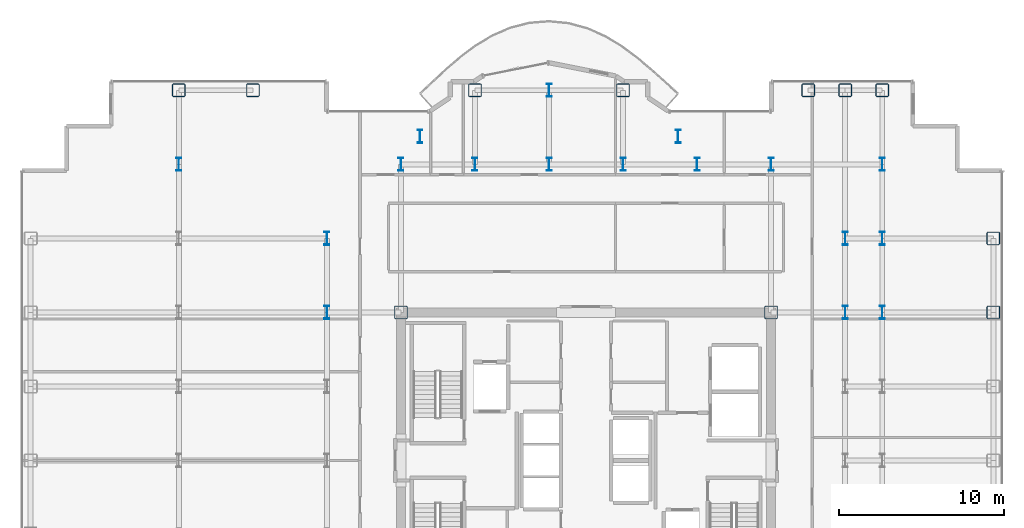
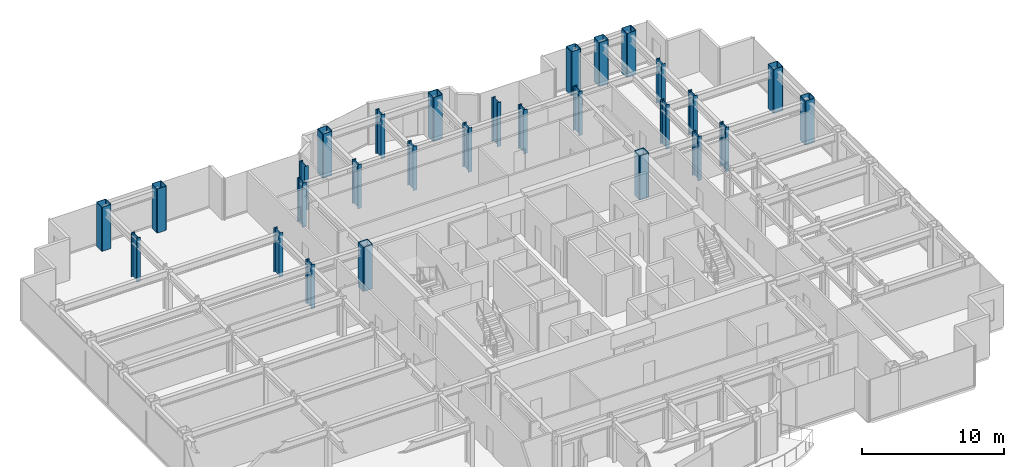
# One storey, part 2 of 22: 28 columns.
"""IFC4 building model written with IfcOpenShell, lengths in metres."""

import ifcopenshell
import ifcopenshell.guid

model = None  # the IFC model being written
_history = None  # IfcOwnerHistory: only IFC2X3 demands one
_inside = {}  # id of a spatial element -> (the spatial element, [elements in it])
_under = {}  # id of a project, library or spatial element -> (it, [spatial elements below it])
_declared = {}  # id of a project -> (the project, [libraries it declares])
_typed = {}  # id of a type object -> (the type object, [elements of that type])
_made_of = {}  # id of a material, layer set ... -> (it, [elements and type objects made of it])


def new_model(schema):
    """Start an empty IFC model of exactly this schema.

    Asked for "IFC4X3", IfcOpenShell would pick the latest addendum, in which some entities
    have other attributes; the version numbers below select the first issue.
    IFC2X3 requires an IfcOwnerHistory on every rooted entity: one is made here for all.
    """
    global model, _history
    if schema == "IFC4X3":
        model = ifcopenshell.file(schema_version=(4, 3, 0, 0))
    else:
        model = ifcopenshell.file(schema=schema)
    _inside.clear()
    _under.clear()
    _declared.clear()
    _typed.clear()
    _made_of.clear()
    _history = None
    if model.schema == "IFC2X3":
        org = make("IfcOrganization", Name="unknown")
        user = make(
            "IfcPersonAndOrganization",
            ThePerson=make("IfcPerson", FamilyName="unknown"),
            TheOrganization=org,
        )
        app = make(
            "IfcApplication",
            ApplicationDeveloper=org,
            Version="unknown",
            ApplicationFullName="unknown",
            ApplicationIdentifier="unknown",
        )
        _history = make(
            "IfcOwnerHistory",
            OwningUser=user,
            OwningApplication=app,
            ChangeAction="ADDED",
            CreationDate=0,
        )
    return model


def make(cls, **values):
    """One entity of the class cls with the attributes given. An attribute that is None is left unset."""
    return model.create_entity(
        cls, **{name: value for name, value in values.items() if value is not None}
    )


def rooted(cls, **values):
    """An entity with a GlobalId (a new one), such as an element, a storey or a relation."""
    return make(cls, GlobalId=ifcopenshell.guid.new(), OwnerHistory=_history, **values)


def si_unit(unit_type, name, prefix=None):
    """IfcSIUnit, for example si_unit("LENGTHUNIT", "METRE", prefix="MILLI")."""
    return make("IfcSIUnit", UnitType=unit_type, Prefix=prefix, Name=name)


def assignment(units):
    """IfcUnitAssignment: the units of a project."""
    return None if units is None else make("IfcUnitAssignment", Units=units)


def point(xyz):
    """IfcCartesianPoint."""
    return None if xyz is None else make("IfcCartesianPoint", Coordinates=xyz)


def direction(xyz):
    """IfcDirection."""
    return None if xyz is None else make("IfcDirection", DirectionRatios=xyz)


def frame(location, z_axis=None, x_axis=None):
    """IfcAxis2Placement3D, a coordinate frame: its origin and axes. An axis left out is left unset."""
    return make(
        "IfcAxis2Placement3D",
        Location=point(location),
        Axis=direction(z_axis),
        RefDirection=direction(x_axis),
    )


def frame_2d(location, x_axis=None):
    """IfcAxis2Placement2D, a coordinate frame in the plane: its origin and x axis."""
    return make(
        "IfcAxis2Placement2D", Location=point(location), RefDirection=direction(x_axis)
    )


def origin():
    """The frame at (0, 0, 0) with its axes left unset."""
    return frame((0.0, 0.0, 0.0))


def origin_2d():
    """The frame at (0, 0) in the plane with its x axis left unset."""
    return frame_2d((0.0, 0.0))


def place(relative_to, where):
    """IfcLocalPlacement: puts the frame where relative to a parent placement (None: the world)."""
    return make(
        "IfcLocalPlacement", PlacementRelTo=relative_to, RelativePlacement=where
    )


def context(
    kind, dimensions, precision=None, world=None, true_north=None, identifier=None
):
    """IfcGeometricRepresentationContext, for example the 3D "Model" context."""
    return make(
        "IfcGeometricRepresentationContext",
        ContextIdentifier=identifier,
        ContextType=kind,
        CoordinateSpaceDimension=dimensions,
        Precision=precision,
        WorldCoordinateSystem=world,
        TrueNorth=true_north,
    )


def subcontext(parent, identifier, kind, view, scale=None):
    """IfcGeometricRepresentationSubContext, for example "Body" below "Model"."""
    return make(
        "IfcGeometricRepresentationSubContext",
        ContextIdentifier=identifier,
        ContextType=kind,
        ParentContext=parent,
        TargetScale=scale,
        TargetView=view,
    )


def project(units=None, contexts=None):
    """IfcProject with its units and contexts."""
    return rooted(
        "IfcProject",
        Name="project",
        RepresentationContexts=contexts,
        UnitsInContext=assignment(units),
    )


def spatial(cls, under=None, at=None, **own):
    """A site, building, storey or space (cls), placed at a placement, below another one or the project."""
    s = rooted(cls, ObjectPlacement=at, **own)
    if under is not None:
        _under.setdefault(under.id(), (under, []))[1].append(s)
    return s


def profile(cls, at=None, kind="AREA", **sizes):
    """A parametric profile (cls). Its sizes go by their IFC names, for example OverallWidth=200.0."""
    return make(cls, ProfileType=kind, Position=at, **sizes)


def hollow_rectangle(**sizes):
    """IfcRectangleHollowProfileDef."""
    return profile("IfcRectangleHollowProfileDef", **sizes)


def i_section(**sizes):
    """IfcIShapeProfileDef."""
    return profile("IfcIShapeProfileDef", **sizes)


def extrude(swept, where, along, depth):
    """IfcExtrudedAreaSolid: the profile swept, set in the frame where, extruded along a direction by depth."""
    return make(
        "IfcExtrudedAreaSolid",
        SweptArea=swept,
        Position=where,
        ExtrudedDirection=direction(along),
        Depth=depth,
    )


def shape(context_of_items, identifier, shape_type, items):
    """IfcShapeRepresentation: the items that make up one representation, for example the "Body"."""
    return make(
        "IfcShapeRepresentation",
        ContextOfItems=context_of_items,
        RepresentationIdentifier=identifier,
        RepresentationType=shape_type,
        Items=items,
    )


def source(mapping_origin, context_of_items, identifier, shape_type, items):
    """IfcRepresentationMap: a shape defined once, which mapped items show again and again."""
    return make(
        "IfcRepresentationMap",
        MappingOrigin=mapping_origin,
        MappedRepresentation=shape(context_of_items, identifier, shape_type, items),
    )


def transform(
    local_origin,
    x_axis=None,
    y_axis=None,
    z_axis=None,
    scale=None,
    scale2=None,
    scale3=None,
    uniform=True,
):
    """IfcCartesianTransformationOperator3D, or its non-uniform kind. x_axis, y_axis, z_axis: its Axis1, 2, 3."""
    if uniform:
        return make(
            "IfcCartesianTransformationOperator3D",
            Axis1=direction(x_axis),
            Axis2=direction(y_axis),
            LocalOrigin=point(local_origin),
            Scale=scale,
            Axis3=direction(z_axis),
        )
    return make(
        "IfcCartesianTransformationOperator3DnonUniform",
        Axis1=direction(x_axis),
        Axis2=direction(y_axis),
        LocalOrigin=point(local_origin),
        Scale=scale,
        Axis3=direction(z_axis),
        Scale2=scale2,
        Scale3=scale3,
    )


def mapped(mapping_source, mapping_target):
    """IfcMappedItem: shows the shape of a source again, moved by a transform."""
    return make(
        "IfcMappedItem", MappingSource=mapping_source, MappingTarget=mapping_target
    )


def material(Name=None, Category=None):
    """IfcMaterial."""
    return make("IfcMaterial", Name=Name, Category=Category)


def material_profile(
    of_material, cross_section, Name=None, Category=None, Priority=None
):
    """IfcMaterialProfile: a cross section and its material."""
    return make(
        "IfcMaterialProfile",
        Name=Name,
        Material=of_material,
        Profile=cross_section,
        Priority=Priority,
        Category=Category,
    )


def profile_set(profiles, Name=None, composite=None):
    """IfcMaterialProfileSet."""
    return make(
        "IfcMaterialProfileSet",
        Name=Name,
        MaterialProfiles=profiles,
        CompositeProfile=composite,
    )


def made_of(thing, what):
    """Note that an element or type object is made of a material, layer set ...; save() writes the relation."""
    if what is not None:
        _made_of.setdefault(what.id(), (what, []))[1].append(thing)
    return thing


def type_object(cls, material=None, **own):
    """A type object (cls), such as IfcWallType, which elements share."""
    return made_of(rooted(cls, **own), material)


def element(
    cls,
    number,
    at=None,
    inside=None,
    cuts=None,
    type_object=None,
    material=None,
    context=None,
    identifier="Body",
    shape_type=None,
    held_by="IfcProductDefinitionShape",
    body=None,
    shapes=None,
    **own,
):
    """One element of the class cls, such as IfcWall. Its Tag is "e" and its number.

    at: its placement. inside: the storey or other place that contains it. cuts: it is an
    opening in that element (IfcRelVoidsElement). A single representation is given by context,
    identifier, shape_type and body (its items); several are given by shapes. held_by: the class
    of the entity that holds the representations. save() writes the other relations.
    """
    e = rooted(cls, Tag="e%d" % number, ObjectPlacement=at, **own)
    if body is not None:
        shapes = [shape(context, identifier, shape_type, body)]
    if shapes is not None:
        e.Representation = make(held_by, Representations=shapes)
    if inside is not None:
        _inside.setdefault(inside.id(), (inside, []))[1].append(e)
    if cuts is not None:
        rooted(
            "IfcRelVoidsElement", RelatingBuildingElement=cuts, RelatedOpeningElement=e
        )
    if type_object is not None:
        _typed.setdefault(type_object.id(), (type_object, []))[1].append(e)
    return made_of(e, material)


def aggregate(whole, parts):
    """IfcRelAggregates: a whole, such as a stair, and the parts it consists of."""
    return rooted("IfcRelAggregates", RelatingObject=whole, RelatedObjects=parts)


def save(model, path):
    """Write the relations noted so far, then the file.

    IfcRelAggregates (storeys below a building ...), IfcRelContainedInSpatialStructure (elements
    in a storey), IfcRelDefinesByType, IfcRelAssociatesMaterial and IfcRelDeclares: one each for
    every whole, place, type object, material and project.
    """
    for whole, parts in _under.values():
        aggregate(whole, parts)
    for where, things in _inside.values():
        rooted(
            "IfcRelContainedInSpatialStructure",
            RelatedElements=things,
            RelatingStructure=where,
        )
    for kind, things in _typed.values():
        rooted("IfcRelDefinesByType", RelatedObjects=things, RelatingType=kind)
    for what, things in _made_of.values():
        rooted("IfcRelAssociatesMaterial", RelatedObjects=things, RelatingMaterial=what)
    for by, libraries in _declared.values():
        rooted("IfcRelDeclares", RelatingContext=by, RelatedDefinitions=libraries)
    model.write(path)


model = new_model("IFC4")

# Units and contexts
model_context = context("Model", 3, precision=1e-05, world=origin(), true_north=direction((0.0, 1.0)))
body_context = subcontext(model_context, "Body", "Model", "MODEL_VIEW")
ifc_project = project(units=[si_unit("LENGTHUNIT", "METRE"), si_unit("AREAUNIT", "SQUARE_METRE"), si_unit("VOLUMEUNIT", "CUBIC_METRE"), si_unit("PLANEANGLEUNIT", "RADIAN"), si_unit("MASSUNIT", "GRAM", prefix="KILO")], contexts=[model_context])

# Site, building, storey
site_placement = place(None, origin())
site = spatial("IfcSite", under=ifc_project, at=site_placement, CompositionType="ELEMENT")
building_placement = place(site_placement, origin())
building = spatial("IfcBuilding", under=site, at=building_placement, Name="Nefas-Gora Pilgrimage Tower", CompositionType="ELEMENT")
storey_placement = place(building_placement, frame((0.0, 0.0, 186.800048828125)))
storey = spatial("IfcBuildingStorey", under=building, at=storey_placement, Name="L46", CompositionType="ELEMENT", Elevation=186.800048828125)

# Columns
ifc_material = material(Name="Steel S460", Category="steel")
ifc_material_profile_1 = material_profile(ifc_material, hollow_rectangle(XDim=0.800048828125, YDim=0.800048828125, WallThickness=0.0400390625, InnerFilletRadius=0.0400390625, OuterFilletRadius=0.080078125, at=origin_2d()), Name="BOX 800x800x40")
ifc_profile_set_1 = profile_set([ifc_material_profile_1], Name="Steel S460")
column_type_1 = type_object("IfcColumnType", Name="COL-TUBE-800", PredefinedType="COLUMN", material=ifc_profile_set_1)
shared_shape_1 = source(origin(), body_context, "Body", "SweptSolid", [
    extrude(hollow_rectangle(XDim=0.800048828125, YDim=0.800048828125, WallThickness=0.0400390625, InnerFilletRadius=0.0400390625, OuterFilletRadius=0.080078125, at=origin_2d()), origin(), (0.0, 0.0, 1.0), 3.800048828125),
])
for number, where, z_axis, x_axis, name in (
    (1, (-24.75, 22.5, 0.0), (0.0, 0.0, 1.0), (1.0, 0.0, 0.0), "L46 Tower Column C-Z2.18"),
    (2, (-20.25, 22.5, 0.0), (0.0, 0.0, 1.0), (1.0, 0.0, 0.0), "L46 Tower Column C-Z2.20"),
    (3, (-6.75, 22.5, 0.0), (0.0, 0.0, 1.0), (1.0, 0.0, 0.0), "L46 Tower Column C-Z2.37"),
    (4, (2.25, 22.5, 0.0), (0.0, 0.0, 1.0), (1.0, 0.0, 0.0), "L46 Tower Column C-Z2.45"),
    (5, (13.5, 22.5, 0.0), (0.0, 0.0, 1.0), (1.0, 0.0, 0.0), "L46 Tower Column C-Z2.55"),
    (6, (15.75, 22.5, 0.0), (0.0, 0.0, 1.0), (1.0, 0.0, 0.0), "L46 Tower Column C-Z2.64"),
    (7, (18.0, 22.5, 0.0), (0.0, 0.0, 1.0), (1.0, 0.0, 0.0), "L46 Tower Column C-Z2.73"),
    (8, (24.75, 9.0, 0.0), (0.0, 0.0, 1.0), (1.0, 0.0, 0.0), "L46 Tower Column C-Z2.79"),
    (9, (24.75, 13.5, 0.0), (0.0, 0.0, 1.0), (1.0, 0.0, 0.0), "L46 Tower Column C-Z2.80"),
):
    element("IfcColumn", number, at=place(storey_placement, frame(where, z_axis=z_axis, x_axis=x_axis)), inside=storey, type_object=column_type_1, Name=name, PredefinedType="COLUMN", context=body_context, shape_type="MappedRepresentation", body=[
        mapped(shared_shape_1, transform((0.0, 0.0, 0.0), x_axis=(1.0, 0.0, 0.0), y_axis=(0.0, 1.0, 0.0), z_axis=(0.0, 0.0, 1.0), scale=1.0)),
    ])
ifc_material_profile_2 = material_profile(ifc_material, i_section(OverallWidth=0.302978515625, OverallDepth=0.81396484375, WebThickness=0.02099609375, FlangeThickness=0.0400390625, FilletRadius=0.030029296875, at=origin_2d()), Name="HEM 800")
ifc_profile_set_2 = profile_set([ifc_material_profile_2], Name="Steel S460")
column_type_2 = type_object("IfcColumnType", Name="COL-WEB-HEM800", PredefinedType="COLUMN", material=ifc_profile_set_2)
shared_shape_2 = source(origin(), body_context, "Body", "SweptSolid", [
    extrude(i_section(OverallWidth=0.302978515625, OverallDepth=0.81396484375, WebThickness=0.02099609375, FlangeThickness=0.0400390625, FilletRadius=0.030029296875, at=origin_2d()), origin(), (0.0, 0.0, 1.0), 3.800048828125),
])
for number, where, z_axis, x_axis, name in (
    (10, (-24.75, 18.0, 0.0), (0.0, 0.0, 1.0), (1.0, 0.0, 0.0), "L46 Tower Column CW-02.17"),
    (11, (-15.75, 9.0, 0.0), (0.0, 0.0, 1.0), (1.0, 0.0, 0.0), "L46 Tower Column CW-02.26"),
    (12, (-15.75, 13.5, 0.0), (0.0, 0.0, 1.0), (1.0, 0.0, 0.0), "L46 Tower Column CW-02.27"),
    (13, (-11.25, 18.0, 0.0), (0.0, 0.0, 1.0), (1.0, 0.0, 0.0), "L46 Tower Column CW-02.31"),
    (14, (-10.091064453125, 19.696044921875, 0.0), (0.0, 0.0, 1.0), (1.0, 0.0, 0.0), "L46 Tower Column CW-02.33"),
    (15, (-6.75, 18.0, 0.0), (0.0, 0.0, 1.0), (1.0, 0.0, 0.0), "L46 Tower Column CW-02.36"),
    (16, (-2.25, 18.0, 0.0), (0.0, 0.0, 1.0), (1.0, 0.0, 0.0), "L46 Tower Column CW-02.40"),
    (17, (-2.25, 22.5, 0.0), (0.0, 0.0, 1.0), (1.0, 0.0, 0.0), "L46 Tower Column CW-02.41"),
    (18, (2.25, 18.0, 0.0), (0.0, 0.0, 1.0), (1.0, 0.0, 0.0), "L46 Tower Column CW-02.44"),
    (19, (5.591064453125, 19.696044921875, 0.0), (0.0, 0.0, 1.0), (1.0, 0.0, 0.0), "L46 Tower Column CW-02.47"),
    (20, (6.75, 18.0, 0.0), (0.0, 0.0, 1.0), (1.0, 0.0, 0.0), "L46 Tower Column CW-02.49"),
    (21, (11.25, 18.0, 0.0), (0.0, 0.0, 1.0), (1.0, 0.0, 0.0), "L46 Tower Column CW-02.53"),
    (22, (15.75, 9.0, 0.0), (0.0, 0.0, 1.0), (1.0, 0.0, 0.0), "L46 Tower Column CW-02.62"),
    (23, (15.75, 13.5, 0.0), (0.0, 0.0, 1.0), (1.0, 0.0, 0.0), "L46 Tower Column CW-02.63"),
    (24, (18.0, 9.0, 0.0), (0.0, 0.0, 1.0), (1.0, 0.0, 0.0), "L46 Tower Column CW-02.70"),
    (25, (18.0, 13.5, 0.0), (0.0, 0.0, 1.0), (1.0, 0.0, 0.0), "L46 Tower Column CW-02.71"),
    (26, (18.0, 18.0, 0.0), (0.0, 0.0, 1.0), (1.0, 0.0, 0.0), "L46 Tower Column CW-02.72"),
):
    element("IfcColumn", number, at=place(storey_placement, frame(where, z_axis=z_axis, x_axis=x_axis)), inside=storey, type_object=column_type_2, Name=name, PredefinedType="COLUMN", context=body_context, shape_type="MappedRepresentation", body=[
        mapped(shared_shape_2, transform((0.0, 0.0, 0.0), x_axis=(1.0, 0.0, 0.0), y_axis=(0.0, 1.0, 0.0), z_axis=(0.0, 0.0, 1.0), scale=1.0)),
    ])
ifc_material_profile_3 = material_profile(ifc_material, hollow_rectangle(XDim=0.800048828125, YDim=0.800048828125, WallThickness=0.0400390625, InnerFilletRadius=0.0400390625, OuterFilletRadius=0.080078125, at=origin_2d()), Name="BOX 800x800x40")
ifc_profile_set_3 = profile_set([ifc_material_profile_3], Name="Steel S460")
column_type_3 = type_object("IfcColumnType", Name="COL-CORE-800", PredefinedType="COLUMN", material=ifc_profile_set_3)
shared_shape_3 = source(origin(), body_context, "Body", "SweptSolid", [
    extrude(hollow_rectangle(XDim=0.800048828125, YDim=0.800048828125, WallThickness=0.0400390625, InnerFilletRadius=0.0400390625, OuterFilletRadius=0.080078125, at=origin_2d()), origin(), (0.0, 0.0, 1.0), 3.800048828125),
])
for number, where, z_axis, x_axis, name in (
    (27, (-11.25, 9.0, 0.0), (0.0, 0.0, 1.0), (1.0, 0.0, 0.0), "L46 Tower Column CC-Z2.30"),
    (28, (11.25, 9.0, 0.0), (0.0, 0.0, 1.0), (1.0, 0.0, 0.0), "L46 Tower Column CC-Z2.52"),
):
    element("IfcColumn", number, at=place(storey_placement, frame(where, z_axis=z_axis, x_axis=x_axis)), inside=storey, type_object=column_type_3, Name=name, PredefinedType="COLUMN", context=body_context, shape_type="MappedRepresentation", body=[
        mapped(shared_shape_3, transform((0.0, 0.0, 0.0), x_axis=(1.0, 0.0, 0.0), y_axis=(0.0, 1.0, 0.0), z_axis=(0.0, 0.0, 1.0), scale=1.0)),
    ])

save(model, "model.ifc")
